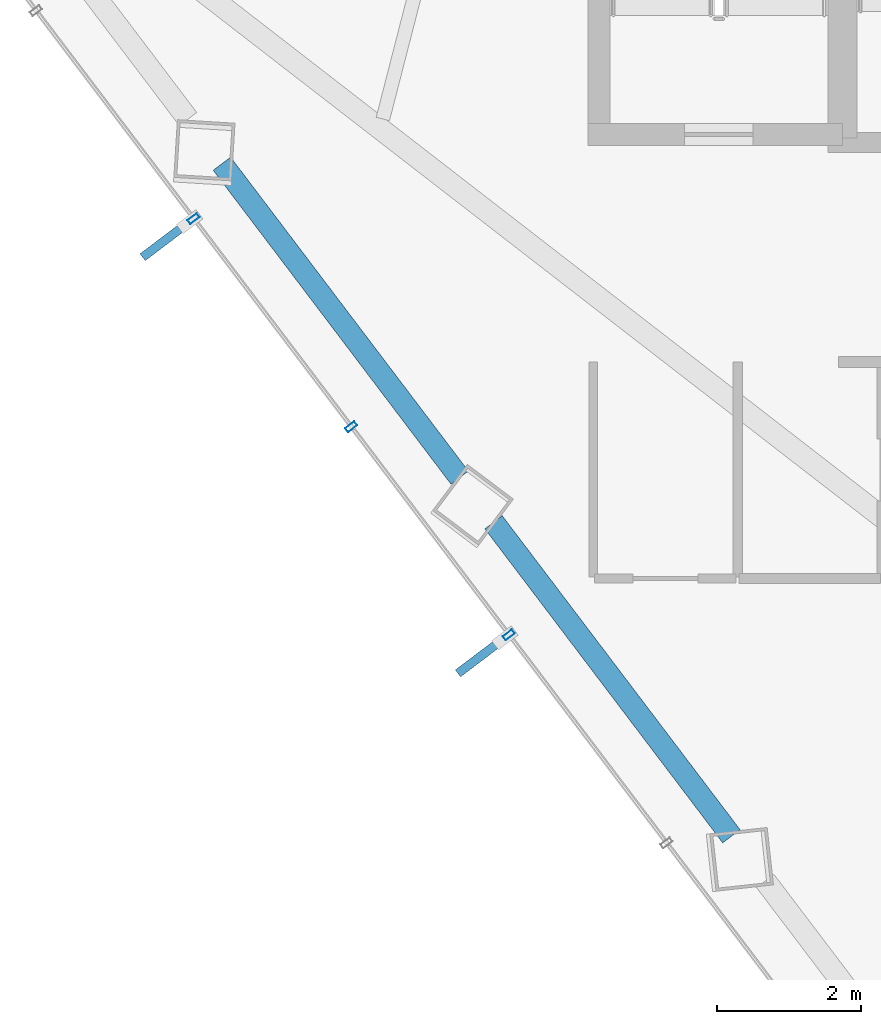
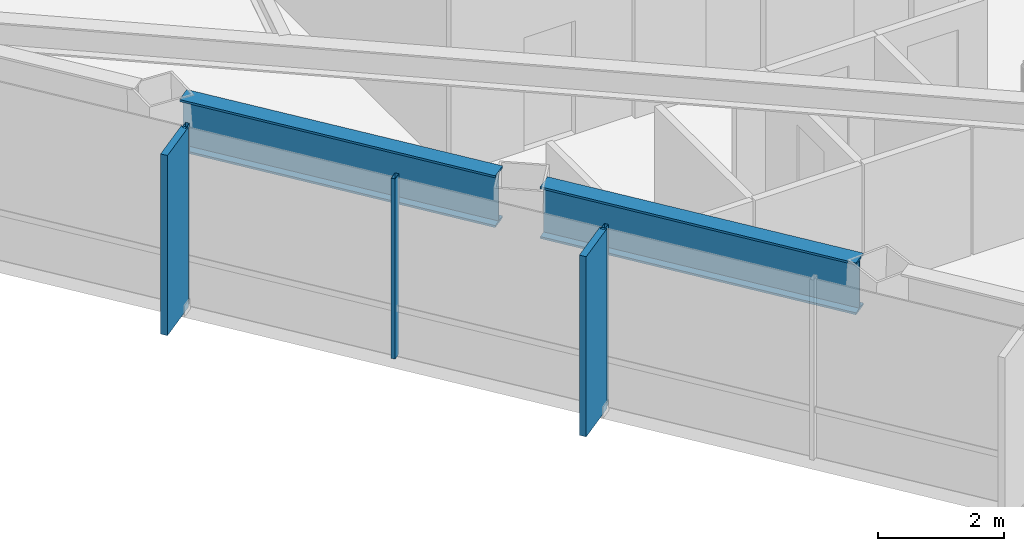
# One storey, part 4 of 30: 5 members, 2 beams, 1 element without a shape of its own.
"""IFC4 building model written with IfcOpenShell, lengths in metres."""

import ifcopenshell
import ifcopenshell.guid

model = None  # the IFC model being written
_history = None  # IfcOwnerHistory: only IFC2X3 demands one
_inside = {}  # id of a spatial element -> (the spatial element, [elements in it])
_under = {}  # id of a project, library or spatial element -> (it, [spatial elements below it])
_declared = {}  # id of a project -> (the project, [libraries it declares])
_typed = {}  # id of a type object -> (the type object, [elements of that type])
_made_of = {}  # id of a material, layer set ... -> (it, [elements and type objects made of it])


def new_model(schema):
    """Start an empty IFC model of exactly this schema.

    Asked for "IFC4X3", IfcOpenShell would pick the latest addendum, in which some entities
    have other attributes; the version numbers below select the first issue.
    IFC2X3 requires an IfcOwnerHistory on every rooted entity: one is made here for all.
    """
    global model, _history
    if schema == "IFC4X3":
        model = ifcopenshell.file(schema_version=(4, 3, 0, 0))
    else:
        model = ifcopenshell.file(schema=schema)
    _inside.clear()
    _under.clear()
    _declared.clear()
    _typed.clear()
    _made_of.clear()
    _history = None
    if model.schema == "IFC2X3":
        org = make("IfcOrganization", Name="unknown")
        user = make(
            "IfcPersonAndOrganization",
            ThePerson=make("IfcPerson", FamilyName="unknown"),
            TheOrganization=org,
        )
        app = make(
            "IfcApplication",
            ApplicationDeveloper=org,
            Version="unknown",
            ApplicationFullName="unknown",
            ApplicationIdentifier="unknown",
        )
        _history = make(
            "IfcOwnerHistory",
            OwningUser=user,
            OwningApplication=app,
            ChangeAction="ADDED",
            CreationDate=0,
        )
    return model


def make(cls, **values):
    """One entity of the class cls with the attributes given. An attribute that is None is left unset."""
    return model.create_entity(
        cls, **{name: value for name, value in values.items() if value is not None}
    )


def rooted(cls, **values):
    """An entity with a GlobalId (a new one), such as an element, a storey or a relation."""
    return make(cls, GlobalId=ifcopenshell.guid.new(), OwnerHistory=_history, **values)


def si_unit(unit_type, name, prefix=None):
    """IfcSIUnit, for example si_unit("LENGTHUNIT", "METRE", prefix="MILLI")."""
    return make("IfcSIUnit", UnitType=unit_type, Prefix=prefix, Name=name)


def assignment(units):
    """IfcUnitAssignment: the units of a project."""
    return None if units is None else make("IfcUnitAssignment", Units=units)


def point(xyz):
    """IfcCartesianPoint."""
    return None if xyz is None else make("IfcCartesianPoint", Coordinates=xyz)


def direction(xyz):
    """IfcDirection."""
    return None if xyz is None else make("IfcDirection", DirectionRatios=xyz)


def frame(location, z_axis=None, x_axis=None):
    """IfcAxis2Placement3D, a coordinate frame: its origin and axes. An axis left out is left unset."""
    return make(
        "IfcAxis2Placement3D",
        Location=point(location),
        Axis=direction(z_axis),
        RefDirection=direction(x_axis),
    )


def frame_2d(location, x_axis=None):
    """IfcAxis2Placement2D, a coordinate frame in the plane: its origin and x axis."""
    return make(
        "IfcAxis2Placement2D", Location=point(location), RefDirection=direction(x_axis)
    )


def origin():
    """The frame at (0, 0, 0) with its axes left unset."""
    return frame((0.0, 0.0, 0.0))


def origin_2d():
    """The frame at (0, 0) in the plane with its x axis left unset."""
    return frame_2d((0.0, 0.0))


def place(relative_to, where):
    """IfcLocalPlacement: puts the frame where relative to a parent placement (None: the world)."""
    return make(
        "IfcLocalPlacement", PlacementRelTo=relative_to, RelativePlacement=where
    )


def context(
    kind, dimensions, precision=None, world=None, true_north=None, identifier=None
):
    """IfcGeometricRepresentationContext, for example the 3D "Model" context."""
    return make(
        "IfcGeometricRepresentationContext",
        ContextIdentifier=identifier,
        ContextType=kind,
        CoordinateSpaceDimension=dimensions,
        Precision=precision,
        WorldCoordinateSystem=world,
        TrueNorth=true_north,
    )


def subcontext(parent, identifier, kind, view, scale=None):
    """IfcGeometricRepresentationSubContext, for example "Body" below "Model"."""
    return make(
        "IfcGeometricRepresentationSubContext",
        ContextIdentifier=identifier,
        ContextType=kind,
        ParentContext=parent,
        TargetScale=scale,
        TargetView=view,
    )


def project(units=None, contexts=None):
    """IfcProject with its units and contexts."""
    return rooted(
        "IfcProject",
        Name="project",
        RepresentationContexts=contexts,
        UnitsInContext=assignment(units),
    )


def spatial(cls, under=None, at=None, **own):
    """A site, building, storey or space (cls), placed at a placement, below another one or the project."""
    s = rooted(cls, ObjectPlacement=at, **own)
    if under is not None:
        _under.setdefault(under.id(), (under, []))[1].append(s)
    return s


def profile(cls, at=None, kind="AREA", **sizes):
    """A parametric profile (cls). Its sizes go by their IFC names, for example OverallWidth=200.0."""
    return make(cls, ProfileType=kind, Position=at, **sizes)


def rectangle(**sizes):
    """IfcRectangleProfileDef."""
    return profile("IfcRectangleProfileDef", **sizes)


def hollow_rectangle(**sizes):
    """IfcRectangleHollowProfileDef."""
    return profile("IfcRectangleHollowProfileDef", **sizes)


def i_section(**sizes):
    """IfcIShapeProfileDef."""
    return profile("IfcIShapeProfileDef", **sizes)


def extrude(swept, where, along, depth):
    """IfcExtrudedAreaSolid: the profile swept, set in the frame where, extruded along a direction by depth."""
    return make(
        "IfcExtrudedAreaSolid",
        SweptArea=swept,
        Position=where,
        ExtrudedDirection=direction(along),
        Depth=depth,
    )


def shape(context_of_items, identifier, shape_type, items):
    """IfcShapeRepresentation: the items that make up one representation, for example the "Body"."""
    return make(
        "IfcShapeRepresentation",
        ContextOfItems=context_of_items,
        RepresentationIdentifier=identifier,
        RepresentationType=shape_type,
        Items=items,
    )


def material(Name=None, Category=None):
    """IfcMaterial."""
    return make("IfcMaterial", Name=Name, Category=Category)


def layer(
    of_material, thickness, ventilated=None, Name=None, Category=None, Priority=None
):
    """IfcMaterialLayer: one layer of a wall or slab, of a material (None: an air gap)."""
    return make(
        "IfcMaterialLayer",
        Material=of_material,
        LayerThickness=thickness,
        IsVentilated=ventilated,
        Name=Name,
        Category=Category,
        Priority=Priority,
    )


def layer_set(layers, Name=None):
    """IfcMaterialLayerSet."""
    return make("IfcMaterialLayerSet", MaterialLayers=layers, LayerSetName=Name)


def material_profile(
    of_material, cross_section, Name=None, Category=None, Priority=None
):
    """IfcMaterialProfile: a cross section and its material."""
    return make(
        "IfcMaterialProfile",
        Name=Name,
        Material=of_material,
        Profile=cross_section,
        Priority=Priority,
        Category=Category,
    )


def profile_set(profiles, Name=None, composite=None):
    """IfcMaterialProfileSet."""
    return make(
        "IfcMaterialProfileSet",
        Name=Name,
        MaterialProfiles=profiles,
        CompositeProfile=composite,
    )


def made_of(thing, what):
    """Note that an element or type object is made of a material, layer set ...; save() writes the relation."""
    if what is not None:
        _made_of.setdefault(what.id(), (what, []))[1].append(thing)
    return thing


def type_object(cls, material=None, **own):
    """A type object (cls), such as IfcWallType, which elements share."""
    return made_of(rooted(cls, **own), material)


def element(
    cls,
    number,
    at=None,
    inside=None,
    cuts=None,
    type_object=None,
    material=None,
    context=None,
    identifier="Body",
    shape_type=None,
    held_by="IfcProductDefinitionShape",
    body=None,
    shapes=None,
    **own,
):
    """One element of the class cls, such as IfcWall. Its Tag is "e" and its number.

    at: its placement. inside: the storey or other place that contains it. cuts: it is an
    opening in that element (IfcRelVoidsElement). A single representation is given by context,
    identifier, shape_type and body (its items); several are given by shapes. held_by: the class
    of the entity that holds the representations. save() writes the other relations.
    """
    e = rooted(cls, Tag="e%d" % number, ObjectPlacement=at, **own)
    if body is not None:
        shapes = [shape(context, identifier, shape_type, body)]
    if shapes is not None:
        e.Representation = make(held_by, Representations=shapes)
    if inside is not None:
        _inside.setdefault(inside.id(), (inside, []))[1].append(e)
    if cuts is not None:
        rooted(
            "IfcRelVoidsElement", RelatingBuildingElement=cuts, RelatedOpeningElement=e
        )
    if type_object is not None:
        _typed.setdefault(type_object.id(), (type_object, []))[1].append(e)
    return made_of(e, material)


def aggregate(whole, parts):
    """IfcRelAggregates: a whole, such as a stair, and the parts it consists of."""
    return rooted("IfcRelAggregates", RelatingObject=whole, RelatedObjects=parts)


def save(model, path):
    """Write the relations noted so far, then the file.

    IfcRelAggregates (storeys below a building ...), IfcRelContainedInSpatialStructure (elements
    in a storey), IfcRelDefinesByType, IfcRelAssociatesMaterial and IfcRelDeclares: one each for
    every whole, place, type object, material and project.
    """
    for whole, parts in _under.values():
        aggregate(whole, parts)
    for where, things in _inside.values():
        rooted(
            "IfcRelContainedInSpatialStructure",
            RelatedElements=things,
            RelatingStructure=where,
        )
    for kind, things in _typed.values():
        rooted("IfcRelDefinesByType", RelatedObjects=things, RelatingType=kind)
    for what, things in _made_of.values():
        rooted("IfcRelAssociatesMaterial", RelatedObjects=things, RelatingMaterial=what)
    for by, libraries in _declared.values():
        rooted("IfcRelDeclares", RelatingContext=by, RelatedDefinitions=libraries)
    model.write(path)


model = new_model("IFC4")

# Units and contexts
model_context = context("Model", 3, precision=1e-05, world=origin(), true_north=direction((0.0, 1.0)))
body_context = subcontext(model_context, "Body", "Model", "MODEL_VIEW")
ifc_project = project(units=[si_unit("LENGTHUNIT", "METRE"), si_unit("AREAUNIT", "SQUARE_METRE"), si_unit("VOLUMEUNIT", "CUBIC_METRE"), si_unit("PLANEANGLEUNIT", "RADIAN"), si_unit("MASSUNIT", "GRAM", prefix="KILO")], contexts=[model_context])

# Site, building, storey
site_placement = place(None, origin())
site = spatial("IfcSite", under=ifc_project, at=site_placement, CompositionType="ELEMENT")
building_placement = place(site_placement, origin())
building = spatial("IfcBuilding", under=site, at=building_placement, Name="Zarrinselat Tower", CompositionType="ELEMENT")
storey_placement = place(building_placement, frame((0.0, 0.0, 160.820068359375)))
storey = spatial("IfcBuildingStorey", under=building, at=storey_placement, Name="L39", CompositionType="ELEMENT", Elevation=160.820068359375)

# Beams
ifc_material_1 = material(Name="Steel S460M", Category="steel")
ifc_material_profile_1 = material_profile(ifc_material_1, i_section(OverallWidth=0.302001953125, OverallDepth=1.008056640625, WebThickness=0.02099609375, FlangeThickness=0.0400390625, at=origin_2d()), Name="HEM 1000")
ifc_profile_set_1 = profile_set([ifc_material_profile_1], Name="Steel S460M")
beam_type = type_object("IfcBeamType", Name="BM-HEM1000", PredefinedType="BEAM", material=ifc_profile_set_1)
for number, where, z_axis, x_axis, name in (
    (1, (20.00634765625, 32.894775390625, 2.995849609375), (0.60388095137, -0.797074523851, 0.0), (0.797074523851, 0.60388095137, 0.0), "L39 Perimeter Spandrel Girder SP07"),
    (2, (23.769287109375, 27.927978515625, 2.995849609375), (0.603852518147, -0.797096064679, 0.0), (0.797096064679, 0.603852518147, 0.0), "L39 Perimeter Spandrel Girder SP08"),
):
    element("IfcBeam", number, at=place(storey_placement, frame(where, z_axis=z_axis, x_axis=x_axis)), inside=storey, type_object=beam_type, Name=name, PredefinedType="BEAM", context=body_context, shape_type="SweptSolid", body=[
        extrude(i_section(OverallWidth=0.302001953125, OverallDepth=1.008056640625, WebThickness=0.02099609375, FlangeThickness=0.0400390625, at=origin_2d()), origin(), (0.0, 0.0, 1.0), 5.455322265625),
    ])

# Curtain wall, members
ifc_material_2 = material(Name="Extruded Aluminium Alloy EN AW-6063 T6", Category="aluminium")
ifc_layer = layer(ifc_material_2, 0.175048828125)
ifc_layer_set = layer_set([ifc_layer], Name="Extruded Aluminium Alloy EN AW-6063 T6")
curtain_wall_type = type_object("IfcCurtainWallType", Name="CWS-HTL", PredefinedType="NOTDEFINED", material=ifc_layer_set)
curtain_wall_placement = place(storey_placement, origin())
curtain_wall = element("IfcCurtainWall", 3, at=curtain_wall_placement, inside=storey, type_object=curtain_wall_type, Name="L39 Unitised Curtain Wall CW-L39-E01", PredefinedType="NOTDEFINED")
ifc_material_3 = material(Name="Extruded Aluminium Alloy EN AW-6063 T6", Category="aluminium")
ifc_material_profile_2 = material_profile(ifc_material_3, hollow_rectangle(XDim=0.070068359375, YDim=0.159912109375, WallThickness=0.00390625, at=origin_2d()), Name="RHS 160x70x4")
ifc_profile_set_2 = profile_set([ifc_material_profile_2], Name="Extruded Aluminium Alloy EN AW-6063 T6")
member_type_1 = type_object("IfcMemberType", Name="MEM-CW-MUL2", PredefinedType="MULLION", material=ifc_profile_set_2)
member_1_placement = place(storey_placement, frame((23.981201171875, 26.36962890625, 0.0), z_axis=(0.0, 0.0, 1.0), x_axis=(-0.603857992276, 0.797091917639, 0.0)))
member_1 = element("IfcMember", 4, at=member_1_placement, type_object=member_type_1, Name="CW-L39-E01 Mullion 3", PredefinedType="MULLION", context=body_context, shape_type="SweptSolid", body=[
    extrude(hollow_rectangle(XDim=0.070068359375, YDim=0.159912109375, WallThickness=0.00390625, at=origin_2d()), origin(), (0.0, 0.0, 1.0), 3.5),
])
member_2_placement = place(storey_placement, frame((21.797607421875, 29.251708984375, 0.0), z_axis=(0.0, 0.0, 1.0), x_axis=(-0.603857992276, 0.797091917639, 0.0)))
member_2 = element("IfcMember", 5, at=member_2_placement, type_object=member_type_1, Name="CW-L39-E01 Mullion 4", PredefinedType="MULLION", context=body_context, shape_type="SweptSolid", body=[
    extrude(hollow_rectangle(XDim=0.070068359375, YDim=0.159912109375, WallThickness=0.00390625, at=origin_2d()), origin(), (0.0, 0.0, 1.0), 3.5),
])
member_3_placement = place(storey_placement, frame((19.6142578125, 32.1337890625, 0.0), z_axis=(0.0, 0.0, 1.0), x_axis=(-0.603857992276, 0.797091917639, 0.0)))
member_3 = element("IfcMember", 6, at=member_3_placement, type_object=member_type_1, Name="CW-L39-E01 Mullion 5", PredefinedType="MULLION", context=body_context, shape_type="SweptSolid", body=[
    extrude(hollow_rectangle(XDim=0.070068359375, YDim=0.159912109375, WallThickness=0.00390625, at=origin_2d()), origin(), (0.0, 0.0, 1.0), 3.5),
])
ifc_material_4 = material(Name="Honed Cream Travertine Stone", Category="masonry")
ifc_material_profile_3 = material_profile(ifc_material_4, rectangle(XDim=0.1201171875, YDim=0.85009765625, at=origin_2d()), Name="FIN 850x120")
ifc_profile_set_3 = profile_set([ifc_material_profile_3], Name="Honed Cream Travertine Stone")
member_type_2 = type_object("IfcMemberType", Name="MEM-STONE-FIN", PredefinedType="USERDEFINED", material=ifc_profile_set_3)
member_4_placement = place(storey_placement, frame((23.614501953125, 26.091796875, 0.0), z_axis=(0.0, 0.0, 1.0), x_axis=(-0.603857992276, 0.797091917639, 0.0)))
member_4 = element("IfcMember", 7, at=member_4_placement, type_object=member_type_2, Name="L39 Stone Shading Fin CW-L39-E01-03", ObjectType="FIN", PredefinedType="USERDEFINED", context=body_context, shape_type="SweptSolid", body=[
    extrude(rectangle(XDim=0.1201171875, YDim=0.85009765625, at=origin_2d()), origin(), (0.0, 0.0, 1.0), 3.5),
])
member_5_placement = place(storey_placement, frame((19.24755859375, 31.85595703125, 0.0), z_axis=(0.0, 0.0, 1.0), x_axis=(-0.603857992276, 0.797091917639, 0.0)))
member_5 = element("IfcMember", 8, at=member_5_placement, type_object=member_type_2, Name="L39 Stone Shading Fin CW-L39-E01-05", ObjectType="FIN", PredefinedType="USERDEFINED", context=body_context, shape_type="SweptSolid", body=[
    extrude(rectangle(XDim=0.1201171875, YDim=0.85009765625, at=origin_2d()), origin(), (0.0, 0.0, 1.0), 3.5),
])
aggregate(curtain_wall, [member_1, member_4, member_2, member_3, member_5])

save(model, "model.ifc")
